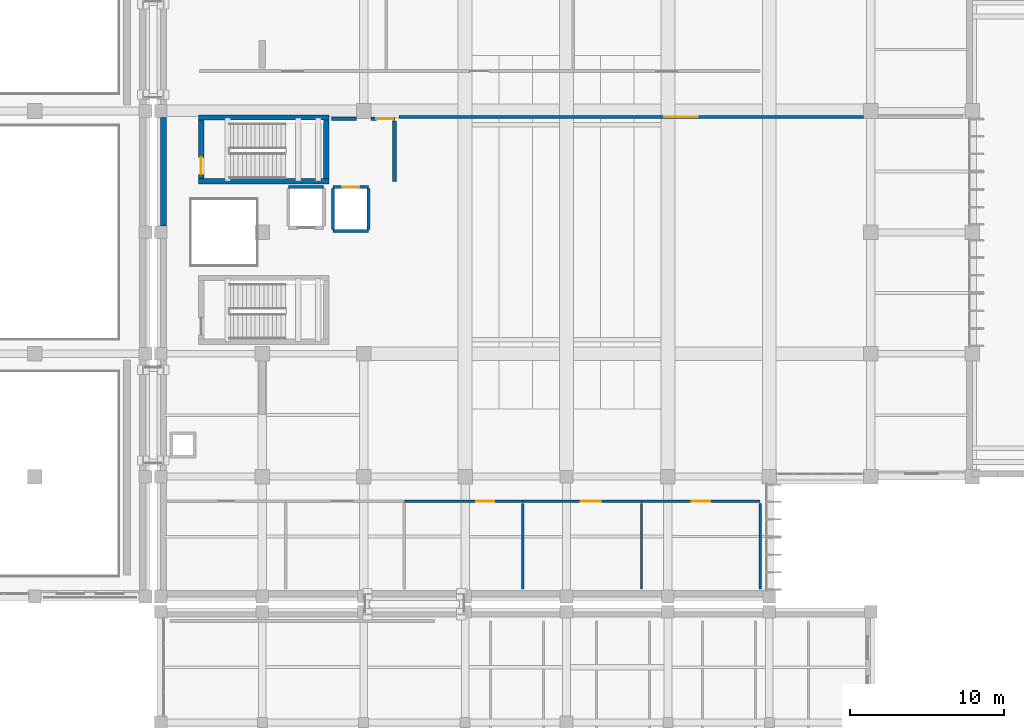
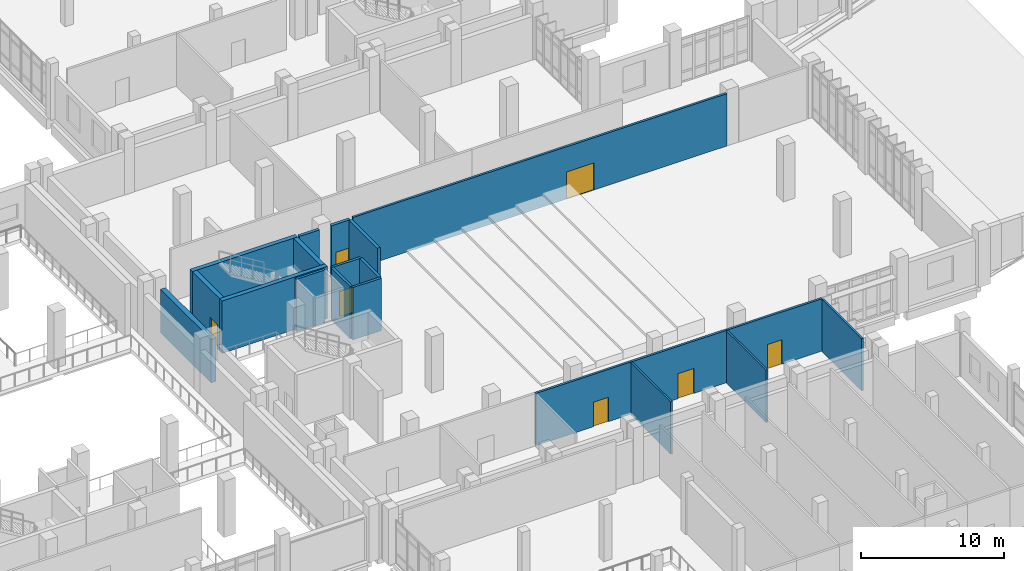
# One storey, part 67 of 90: 20 walls, 7 doors, 7 openings.
"""IFC4 building model written with IfcOpenShell, lengths in metres."""

from ifc_helpers import new_model, si_unit, direction, frame, frame_2d, origin, place, context, subcontext, project, spatial, rectangle, extrude, material, layer, layer_set, type_object, element, fill, save


model = new_model("IFC4")

# Units and contexts
model_context = context("Model", 3, precision=1e-05, world=origin(), true_north=direction((0.0, 1.0)))
body_context = subcontext(model_context, "Body", "Model", "MODEL_VIEW")
ifc_project = project(units=[si_unit("LENGTHUNIT", "METRE"), si_unit("AREAUNIT", "SQUARE_METRE"), si_unit("VOLUMEUNIT", "CUBIC_METRE"), si_unit("PLANEANGLEUNIT", "RADIAN"), si_unit("MASSUNIT", "GRAM", prefix="KILO")], contexts=[model_context])

# Site, building, storey
site_placement = place(None, origin())
site = spatial("IfcSite", under=ifc_project, at=site_placement, CompositionType="ELEMENT")
building_placement = place(site_placement, origin())
building = spatial("IfcBuilding", under=site, at=building_placement, Name="Kelarvand Opera House", CompositionType="ELEMENT")
storey_placement = place(building_placement, frame((0.0, 0.0, 5.39990234375)))
storey = spatial("IfcBuildingStorey", under=building, at=storey_placement, Name="L01", CompositionType="ELEMENT", Elevation=5.39990234375)

# Walls
ifc_material_1 = material(Name="Concrete C35/45", Category="concrete")
ifc_layer_1 = layer(ifc_material_1, 0.39990234375, Name="Concrete C35/45", Category="concrete")
ifc_layer_set_1 = layer_set([ifc_layer_1], Name="Concrete C35/45")
wall_type_1 = type_object("IfcWallType", Name="Acoustic Brick-Travertine Double Wall 400", PredefinedType="SOLIDWALL", material=ifc_layer_set_1)
wall_1_placement = place(storey_placement, frame((89.179931640625, 62.909912109375, 0.0), z_axis=(0.0, 0.0, 1.0), x_axis=(0.0, 1.0, 0.0)))
element("IfcWall", 1, at=wall_1_placement, inside=storey, type_object=wall_type_1, Name="V1 L01 Exterior Wall EW-400 (92)", PredefinedType="SOLIDWALL", context=body_context, shape_type="SweptSolid", body=[
    extrude(rectangle(XDim=7.080078125, YDim=0.39990234375, at=frame_2d((3.5400390625, 0.0))), origin(), (0.0, 0.0, 1.0), 3.72216796875),
])
ifc_material_2 = material(Name="Acoustic double-stud gypsum partition")
ifc_layer_2 = layer(ifc_material_2, 0.14990234375, Name="Acoustic double-stud gypsum partition")
ifc_layer_set_2 = layer_set([ifc_layer_2], Name="Acoustic double-stud gypsum partition")
wall_type_2 = type_object("IfcWallType", Name="Acoustic Room Partition Wall 150", PredefinedType="PARTITIONING", material=ifc_layer_set_2)
for number, where, z_axis, x_axis, name in (
    (2, (112.56005859375, 39.300048828125, 0.0), (0.0, 0.0, 1.0), (0.0, 1.0, 0.0), "V1 L01 Partition Wall IW-150 (371)"),
    (3, (120.280029296875, 39.300048828125, 0.0), (0.0, 0.0, 1.0), (0.0, 1.0, 0.0), "V1 L01 Partition Wall IW-150 (373)"),
    (4, (128.0, 39.300048828125, 0.0), (0.0, 0.0, 1.0), (0.0, 1.0, 0.0), "V1 L01 Partition Wall IW-150 (374)"),
):
    element("IfcWall", number, at=place(storey_placement, frame(where, z_axis=z_axis, x_axis=x_axis)), inside=storey, type_object=wall_type_2, Name=name, PredefinedType="PARTITIONING", context=body_context, shape_type="SweptSolid", body=[
        extrude(rectangle(XDim=5.56005859375, YDim=0.14990234375, at=frame_2d((2.780029296875, 0.0))), origin(), (0.0, 0.0, 1.0), 4.47216796875),
    ])
ifc_material_3 = material(Name="Concrete C40/50", Category="concrete")
ifc_layer_3 = layer(ifc_material_3, 0.35009765625, Name="Concrete C40/50", Category="concrete")
ifc_layer_set_3 = layer_set([ifc_layer_3], Name="Concrete C40/50")
wall_type_3 = type_object("IfcWallType", Name="Core Stair and Lift Shear Wall 350", PredefinedType="SHEAR", material=ifc_layer_set_3)
for number, where, z_axis, x_axis, name in (
    (5, (91.449951171875, 65.824951171875, 0.0), (0.0, 0.0, 1.0), (1.0, 0.0, 0.0), "C1 Stair Core Shear Wall S L01"),
    (6, (99.949951171875, 69.97509765625, 0.0), (0.0, 0.0, 1.0), (-1.0, 0.0, 0.0), "C1 Stair Core Shear Wall N L01"),
):
    element("IfcWall", number, at=place(storey_placement, frame(where, z_axis=z_axis, x_axis=x_axis)), inside=storey, type_object=wall_type_3, Name=name, PredefinedType="SHEAR", context=body_context, shape_type="SweptSolid", body=[
        extrude(rectangle(XDim=8.5, YDim=0.35009765625, at=frame_2d((4.25, 0.0))), origin(), (0.0, 0.0, 1.0), 4.47998046875),
    ])

# Wall, opening, door
wall_2_placement = place(storey_placement, frame((91.625, 66.0, 0.0), z_axis=(0.0, 0.0, 1.0), x_axis=(0.0, 1.0, 0.0)))
wall_2 = element("IfcWall", 7, at=wall_2_placement, inside=storey, type_object=wall_type_3, Name="C1 Stair Core Shear Wall W L01", PredefinedType="SHEAR", context=body_context, shape_type="SweptSolid", body=[
    extrude(rectangle(XDim=3.800048828125, YDim=0.35009765625, at=frame_2d((1.89990234375, 0.0))), origin(), (0.0, 0.0, 1.0), 4.47998046875),
])
opening_1_placement = place(wall_2_placement, frame((0.280029296875, 0.0, 0.0)))
opening_1 = element("IfcOpeningElement", 8, at=opening_1_placement, cuts=wall_2, Name="Opening FD-01", PredefinedType="OPENING", context=body_context, shape_type="SweptSolid", body=[
    extrude(rectangle(XDim=1.10009765625, YDim=2.080078125, at=frame_2d((0.550048828125, 1.0400390625))), frame((0.0, 0.18505859375, 0.0), z_axis=(0.0, -1.0, 0.0), x_axis=(1.0, 0.0, 0.0)), (0.0, 0.0, 1.0), 0.3701171875),
])
ifc_material_4 = material(Name="Fire-rated brushed stainless steel", Category="steel")
door_type_1 = type_object("IfcDoorType", Name="Steel Fire-Rated Stair and FF Lobby Door 1100x2080", OperationType="NOTDEFINED", PredefinedType="DOOR", material=ifc_material_4)
door_1_placement = place(opening_1_placement, origin())
door_1 = element("IfcDoor", 9, at=door_1_placement, inside=storey, type_object=door_type_1, Name="C1 Stair ST-01 Fire Door L01", OperationType="SINGLE_SWING_LEFT", OverallHeight=2.080078125, OverallWidth=1.10009765625, PredefinedType="DOOR", context=body_context, shape_type="SweptSolid", body=[
    extrude(rectangle(XDim=1.10009765625, YDim=2.080078125, at=frame_2d((0.550048828125, 1.0400390625))), frame((0.0, 0.02490234375, 0.0), z_axis=(0.0, -1.0, 0.0), x_axis=(1.0, 0.0, 0.0)), (0.0, 0.0, 1.0), 0.050048828125),
])
fill(opening_1, door_1)

# Wall
wall_3_placement = place(storey_placement, frame((99.77490234375, 69.800048828125, 0.0), z_axis=(0.0, 0.0, 1.0), x_axis=(0.0, -1.0, 0.0)))
element("IfcWall", 10, at=wall_3_placement, inside=storey, type_object=wall_type_3, Name="C1 Stair Core Shear Wall E L01", PredefinedType="SHEAR", context=body_context, shape_type="SweptSolid", body=[
    extrude(rectangle(XDim=3.800048828125, YDim=0.35009765625, at=frame_2d((1.89990234375, 0.0))), origin(), (0.0, 0.0, 1.0), 4.47998046875),
])

# Wall, opening, door
ifc_layer_4 = layer(ifc_material_1, 0.179931640625, Name="Concrete C35/45", Category="concrete")
ifc_layer_set_4 = layer_set([ifc_layer_4], Name="Concrete C35/45")
wall_type_4 = type_object("IfcWallType", Name="Corridor Fire-Rated Partition Wall 180 EI90", PredefinedType="PARTITIONING", material=ifc_layer_set_4)
wall_4_placement = place(storey_placement, frame((104.5, 70.0, 0.0), z_axis=(0.0, 0.0, 1.0), x_axis=(1.0, 0.0, 0.0)))
wall_4 = element("IfcWall", 11, at=wall_4_placement, inside=storey, type_object=wall_type_4, Name="V1 L01 Partition Wall IW-90 (364)", PredefinedType="PARTITIONING", context=body_context, shape_type="SweptSolid", body=[
    extrude(rectangle(XDim=30.22509765625, YDim=0.179931640625, at=frame_2d((15.112548828125, 0.0))), origin(), (0.0, 0.0, 1.0), 4.47216796875),
])
opening_2_placement = place(wall_4_placement, frame((17.25, 0.0, 0.0)))
opening_2 = element("IfcOpeningElement", 12, at=opening_2_placement, cuts=wall_4, Name="Opening D-18", PredefinedType="OPENING", context=body_context, shape_type="SweptSolid", body=[
    extrude(rectangle(XDim=2.199951171875, YDim=2.320068359375, at=frame_2d((1.10009765625, 1.16015625))), frame((0.0, 0.10009765625, 0.0), z_axis=(0.0, -1.0, 0.0), x_axis=(1.0, 0.0, 0.0)), (0.0, 0.0, 1.0), 0.199951171875),
])
ifc_material_5 = material(Name="Acoustic walnut-veneered hardwood", Category="wood")
door_type_2 = type_object("IfcDoorType", Name="Main Concourse Glazed Double Door 2200x2320", OperationType="NOTDEFINED", PredefinedType="DOOR", material=ifc_material_5)
door_2_placement = place(opening_2_placement, origin())
door_2 = element("IfcDoor", 13, at=door_2_placement, inside=storey, type_object=door_type_2, Name="V1 L01 Door D-18 (156)", OperationType="DOUBLE_DOOR_SINGLE_SWING", OverallHeight=2.320068359375, OverallWidth=2.199951171875, PredefinedType="DOOR", context=body_context, shape_type="SweptSolid", body=[
    extrude(rectangle(XDim=2.199951171875, YDim=2.320068359375, at=frame_2d((1.10009765625, 1.16015625))), frame((0.0, 0.02490234375, 0.0), z_axis=(0.0, -1.0, 0.0), x_axis=(1.0, 0.0, 0.0)), (0.0, 0.0, 1.0), 0.050048828125),
])
fill(opening_2, door_2)

wall_5_placement = place(storey_placement, frame((104.840087890625, 45.0, 0.0), z_axis=(0.0, 0.0, 1.0), x_axis=(1.0, 0.0, 0.0)))
wall_5 = element("IfcWall", 14, at=wall_5_placement, inside=storey, type_object=wall_type_4, Name="V1 L01 Partition Wall IW-90 (370)", PredefinedType="PARTITIONING", context=body_context, shape_type="SweptSolid", body=[
    extrude(rectangle(XDim=7.719970703125, YDim=0.179931640625, at=frame_2d((3.85986328125, 0.0))), origin(), (0.0, 0.0, 1.0), 4.47216796875),
])
opening_3_placement = place(wall_5_placement, frame((4.673095703125, 0.0, 0.0)))
opening_3 = element("IfcOpeningElement", 15, at=opening_3_placement, cuts=wall_5, Name="Opening D-06", PredefinedType="OPENING", context=body_context, shape_type="SweptSolid", body=[
    extrude(rectangle(XDim=1.199951171875, YDim=2.10009765625, at=frame_2d((0.60009765625, 1.050048828125))), frame((0.0, 0.10009765625, 0.0), z_axis=(0.0, -1.0, 0.0), x_axis=(1.0, 0.0, 0.0)), (0.0, 0.0, 1.0), 0.199951171875),
])
door_type_3 = type_object("IfcDoorType", Name="Accessible Suite Timber Door 1200x2100", OperationType="NOTDEFINED", PredefinedType="DOOR", material=ifc_material_5)
door_3_placement = place(opening_3_placement, origin())
door_3 = element("IfcDoor", 16, at=door_3_placement, inside=storey, type_object=door_type_3, Name="V1 L01 Door D-06 (159)", OperationType="SINGLE_SWING_LEFT", OverallHeight=2.10009765625, OverallWidth=1.199951171875, PredefinedType="DOOR", context=body_context, shape_type="SweptSolid", body=[
    extrude(rectangle(XDim=1.199951171875, YDim=2.10009765625, at=frame_2d((0.60009765625, 1.050048828125))), frame((0.0, 0.02490234375, 0.0), z_axis=(0.0, -1.0, 0.0), x_axis=(1.0, 0.0, 0.0)), (0.0, 0.0, 1.0), 0.050048828125),
])
fill(opening_3, door_3)

wall_6_placement = place(storey_placement, frame((112.56005859375, 45.0, 0.0), z_axis=(0.0, 0.0, 1.0), x_axis=(1.0, 0.0, 0.0)))
wall_6 = element("IfcWall", 17, at=wall_6_placement, inside=storey, type_object=wall_type_4, Name="V1 L01 Partition Wall IW-90 (372)", PredefinedType="PARTITIONING", context=body_context, shape_type="SweptSolid", body=[
    extrude(rectangle(XDim=7.719970703125, YDim=0.179931640625, at=frame_2d((3.85986328125, 0.0))), origin(), (0.0, 0.0, 1.0), 4.47216796875),
])
opening_4_placement = place(wall_6_placement, frame((3.77392578125, 0.0, 0.0)))
opening_4 = element("IfcOpeningElement", 18, at=opening_4_placement, cuts=wall_6, Name="Opening D-11", PredefinedType="OPENING", context=body_context, shape_type="SweptSolid", body=[
    extrude(rectangle(XDim=1.280029296875, YDim=2.139892578125, at=frame_2d((0.64013671875, 1.06982421875))), frame((0.0, 0.10009765625, 0.0), z_axis=(0.0, -1.0, 0.0), x_axis=(1.0, 0.0, 0.0)), (0.0, 0.0, 1.0), 0.199951171875),
])
door_type_4 = type_object("IfcDoorType", Name="Instrument Store Leaf-and-Half Door 1280x2140", OperationType="NOTDEFINED", PredefinedType="DOOR", material=ifc_material_5)
door_4_placement = place(opening_4_placement, origin())
door_4 = element("IfcDoor", 19, at=door_4_placement, inside=storey, type_object=door_type_4, Name="V1 L01 Door D-11 (160)", OperationType="SINGLE_SWING_RIGHT", OverallHeight=2.139892578125, OverallWidth=1.280029296875, PredefinedType="DOOR", context=body_context, shape_type="SweptSolid", body=[
    extrude(rectangle(XDim=1.280029296875, YDim=2.139892578125, at=frame_2d((0.64013671875, 1.06982421875))), frame((0.0, 0.02490234375, 0.0), z_axis=(0.0, -1.0, 0.0), x_axis=(1.0, 0.0, 0.0)), (0.0, 0.0, 1.0), 0.050048828125),
])
fill(opening_4, door_4)

wall_7_placement = place(storey_placement, frame((120.280029296875, 45.0, 0.0), z_axis=(0.0, 0.0, 1.0), x_axis=(1.0, 0.0, 0.0)))
wall_7 = element("IfcWall", 20, at=wall_7_placement, inside=storey, type_object=wall_type_4, Name="V1 L01 Partition Wall IW-90 (375)", PredefinedType="PARTITIONING", context=body_context, shape_type="SweptSolid", body=[
    extrude(rectangle(XDim=7.719970703125, YDim=0.179931640625, at=frame_2d((3.85986328125, 0.0))), origin(), (0.0, 0.0, 1.0), 4.47216796875),
])
opening_5_placement = place(wall_7_placement, frame((3.260009765625, 0.0, 0.0)))
opening_5 = element("IfcOpeningElement", 21, at=opening_5_placement, cuts=wall_7, Name="Opening D-06", PredefinedType="OPENING", context=body_context, shape_type="SweptSolid", body=[
    extrude(rectangle(XDim=1.199951171875, YDim=2.10009765625, at=frame_2d((0.60009765625, 1.050048828125))), frame((0.0, 0.10009765625, 0.0), z_axis=(0.0, -1.0, 0.0), x_axis=(1.0, 0.0, 0.0)), (0.0, 0.0, 1.0), 0.199951171875),
])
door_5_placement = place(opening_5_placement, origin())
door_5 = element("IfcDoor", 22, at=door_5_placement, inside=storey, type_object=door_type_3, Name="V1 L01 Door D-06 (161)", OperationType="SINGLE_SWING_LEFT", OverallHeight=2.10009765625, OverallWidth=1.199951171875, PredefinedType="DOOR", context=body_context, shape_type="SweptSolid", body=[
    extrude(rectangle(XDim=1.199951171875, YDim=2.10009765625, at=frame_2d((0.60009765625, 1.050048828125))), frame((0.0, 0.02490234375, 0.0), z_axis=(0.0, -1.0, 0.0), x_axis=(1.0, 0.0, 0.0)), (0.0, 0.0, 1.0), 0.050048828125),
])
fill(opening_5, door_5)

ifc_layer_5 = layer(ifc_material_1, 0.239990234375, Name="Concrete C35/45", Category="concrete")
ifc_layer_set_5 = layer_set([ifc_layer_5], Name="Concrete C35/45")
wall_type_5 = type_object("IfcWallType", Name="Firefighting Lobby Partition Wall 240 EI120", PredefinedType="PARTITIONING", material=ifc_layer_set_5)
wall_8_placement = place(storey_placement, frame((104.199951171875, 69.89990234375, 0.0), z_axis=(0.0, 0.0, 1.0), x_axis=(-1.0, 0.0, 0.0)))
wall_8 = element("IfcWall", 23, at=wall_8_placement, inside=storey, type_object=wall_type_5, Name="V1 L01 Partition Wall IW-120 (337)", PredefinedType="PARTITIONING", context=body_context, shape_type="SweptSolid", body=[
    extrude(rectangle(XDim=1.52490234375, YDim=0.239990234375, at=frame_2d((0.762451171875, 0.0))), origin(), (0.0, 0.0, 1.0), 4.47216796875),
])
opening_6_placement = place(wall_8_placement, frame((0.080078125, 0.0, 0.0)))
opening_6 = element("IfcOpeningElement", 24, at=opening_6_placement, cuts=wall_8, Name="Opening FD-01", PredefinedType="OPENING", context=body_context, shape_type="SweptSolid", body=[
    extrude(rectangle(XDim=1.10009765625, YDim=2.080078125, at=frame_2d((0.550048828125, 1.0400390625))), frame((0.0, 0.1298828125, 0.0), z_axis=(0.0, -1.0, 0.0), x_axis=(1.0, 0.0, 0.0)), (0.0, 0.0, 1.0), 0.260009765625),
])
door_6_placement = place(opening_6_placement, origin())
door_6 = element("IfcDoor", 25, at=door_6_placement, inside=storey, type_object=door_type_1, Name="V1 L01 Door FD-01 (148)", OperationType="SINGLE_SWING_LEFT", OverallHeight=2.080078125, OverallWidth=1.10009765625, PredefinedType="DOOR", context=body_context, shape_type="SweptSolid", body=[
    extrude(rectangle(XDim=1.10009765625, YDim=2.080078125, at=frame_2d((0.550048828125, 1.0400390625))), frame((0.0, 0.02490234375, 0.0), z_axis=(0.0, -1.0, 0.0), x_axis=(1.0, 0.0, 0.0)), (0.0, 0.0, 1.0), 0.050048828125),
])
fill(opening_6, door_6)

# Walls
wall_9_placement = place(storey_placement, frame((101.72509765625, 69.89990234375, 0.0), z_axis=(0.0, 0.0, 1.0), x_axis=(-1.0, 0.0, 0.0)))
element("IfcWall", 26, at=wall_9_placement, inside=storey, type_object=wall_type_5, Name="V1 L01 Partition Wall IW-120 (338)", PredefinedType="PARTITIONING", context=body_context, shape_type="SweptSolid", body=[
    extrude(rectangle(XDim=1.625, YDim=0.239990234375, at=frame_2d((0.8125, 0.0))), origin(), (0.0, 0.0, 1.0), 4.47216796875),
])
wall_10_placement = place(storey_placement, frame((104.199951171875, 69.760009765625, 0.0), z_axis=(0.0, 0.0, 1.0), x_axis=(0.0, -1.0, 0.0)))
element("IfcWall", 27, at=wall_10_placement, inside=storey, type_object=wall_type_5, Name="V1 L01 Partition Wall IW-120 (339)", PredefinedType="PARTITIONING", context=body_context, shape_type="SweptSolid", body=[
    extrude(rectangle(XDim=3.9599609375, YDim=0.239990234375, at=frame_2d((1.97998046875, 0.0))), origin(), (0.0, 0.0, 1.0), 4.47216796875),
])
ifc_layer_6 = layer(ifc_material_1, 0.199951171875, Name="Concrete C35/45", Category="concrete")
ifc_layer_set_6 = layer_set([ifc_layer_6], Name="Concrete C35/45")
wall_type_6 = type_object("IfcWallType", Name="Lift and Riser Shaft Enclosure Wall 200 EI120", PredefinedType="PARTITIONING", material=ifc_layer_set_6)
wall_11_placement = place(storey_placement, frame((100.199951171875, 62.60009765625, 0.0), z_axis=(0.0, 0.0, 1.0), x_axis=(1.0, 0.0, 0.0)))
element("IfcWall", 28, at=wall_11_placement, inside=storey, type_object=wall_type_6, Name="V1 L01 Partition Wall SW-200 (329)", PredefinedType="PARTITIONING", context=body_context, shape_type="SweptSolid", body=[
    extrude(rectangle(XDim=2.300048828125, YDim=0.199951171875, at=frame_2d((1.14990234375, 0.0))), origin(), (0.0, 0.0, 1.0), 4.47216796875),
])

# Wall, opening, door
wall_12_placement = place(storey_placement, frame((102.5, 65.449951171875, 0.0), z_axis=(0.0, 0.0, 1.0), x_axis=(-1.0, 0.0, 0.0)))
wall_12 = element("IfcWall", 29, at=wall_12_placement, inside=storey, type_object=wall_type_6, Name="V1 L01 Partition Wall SW-200 (330)", PredefinedType="PARTITIONING", context=body_context, shape_type="SweptSolid", body=[
    extrude(rectangle(XDim=2.300048828125, YDim=0.199951171875, at=frame_2d((1.14990234375, 0.0))), origin(), (0.0, 0.0, 1.0), 4.47216796875),
])
opening_7_placement = place(wall_12_placement, frame((0.60009765625, 0.0, 0.0)))
opening_7 = element("IfcOpeningElement", 30, at=opening_7_placement, cuts=wall_12, Name="Opening LD-01", PredefinedType="OPENING", context=body_context, shape_type="SweptSolid", body=[
    extrude(rectangle(XDim=1.10009765625, YDim=2.14990234375, at=frame_2d((0.550048828125, 1.074951171875))), frame((0.0, 0.10986328125, 0.0), z_axis=(0.0, -1.0, 0.0), x_axis=(1.0, 0.0, 0.0)), (0.0, 0.0, 1.0), 0.219970703125),
])
door_type_5 = type_object("IfcDoorType", Name="Passenger Lift Sliding Landing Door 1100x2150", OperationType="SLIDING_TO_LEFT", PredefinedType="DOOR", material=ifc_material_4)
door_7_placement = place(opening_7_placement, origin())
door_7 = element("IfcDoor", 31, at=door_7_placement, inside=storey, type_object=door_type_5, Name="V1 L01 Door LD-01 (146)", OperationType="SLIDING_TO_LEFT", OverallHeight=2.14990234375, OverallWidth=1.10009765625, PredefinedType="DOOR", context=body_context, shape_type="SweptSolid", body=[
    extrude(rectangle(XDim=1.10009765625, YDim=2.14990234375, at=frame_2d((0.550048828125, 1.074951171875))), frame((0.0, 0.02490234375, 0.0), z_axis=(0.0, -1.0, 0.0), x_axis=(1.0, 0.0, 0.0)), (0.0, 0.0, 1.0), 0.050048828125),
])
fill(opening_7, door_7)

# Walls
for number, where, z_axis, x_axis, name in (
    (32, (100.199951171875, 62.699951171875, 0.0), (0.0, 0.0, 1.0), (0.0, 1.0, 0.0), "V1 L01 Partition Wall SW-200 (331)"),
    (33, (102.5, 65.35009765625, 0.0), (0.0, 0.0, 1.0), (0.0, -1.0, 0.0), "V1 L01 Partition Wall SW-200 (332)"),
):
    element("IfcWall", number, at=place(storey_placement, frame(where, z_axis=z_axis, x_axis=x_axis)), inside=storey, type_object=wall_type_6, Name=name, PredefinedType="PARTITIONING", context=body_context, shape_type="SweptSolid", body=[
        extrude(rectangle(XDim=2.650146484375, YDim=0.199951171875, at=frame_2d((1.3251953125, 0.0))), origin(), (0.0, 0.0, 1.0), 4.47216796875),
    ])
wall_13_placement = place(storey_placement, frame((99.60009765625, 65.449951171875, 0.0), z_axis=(0.0, 0.0, 1.0), x_axis=(-1.0, 0.0, 0.0)))
element("IfcWall", 34, at=wall_13_placement, inside=storey, type_object=wall_type_6, Name="V1 L01 Partition Wall SW-200 (334)", PredefinedType="PARTITIONING", context=body_context, shape_type="SweptSolid", body=[
    extrude(rectangle(XDim=2.300048828125, YDim=0.199951171875, at=frame_2d((1.14990234375, 0.0))), origin(), (0.0, 0.0, 1.0), 4.47216796875),
])

save(model, "model.ifc")
